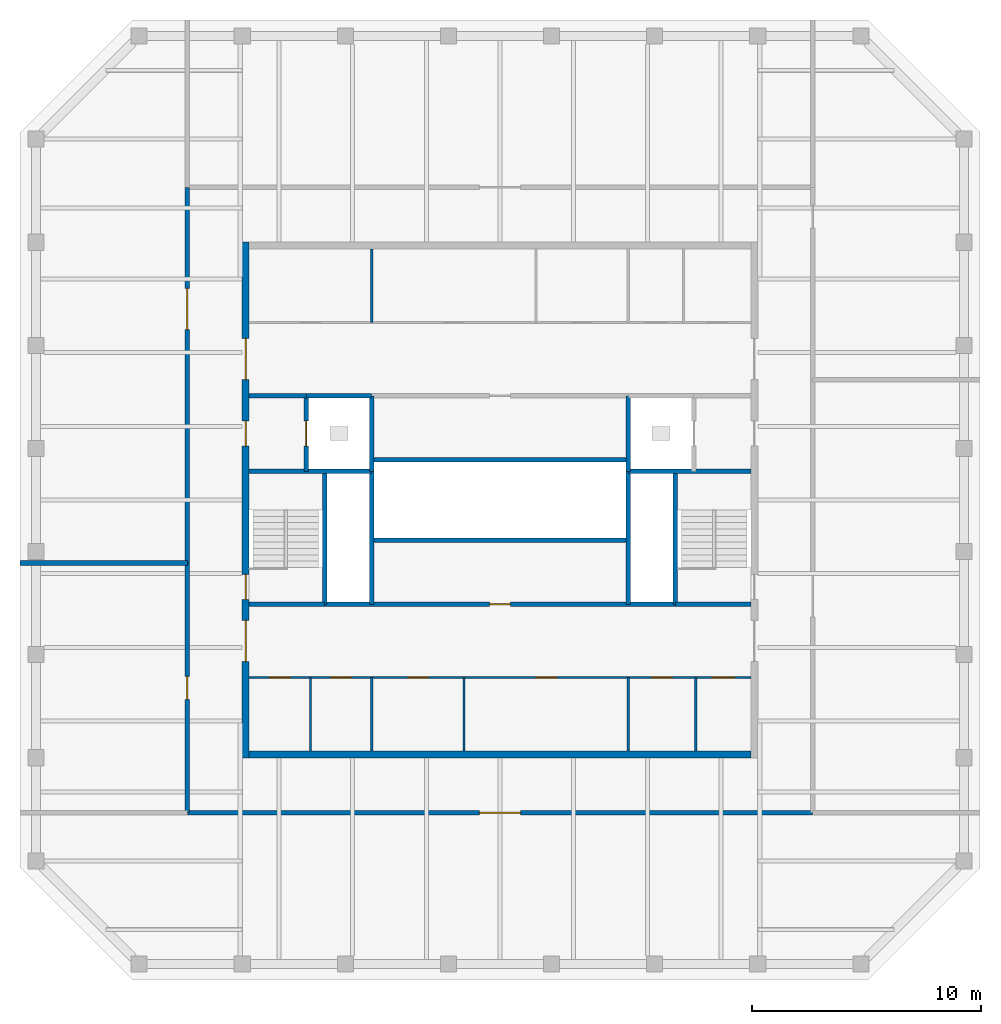
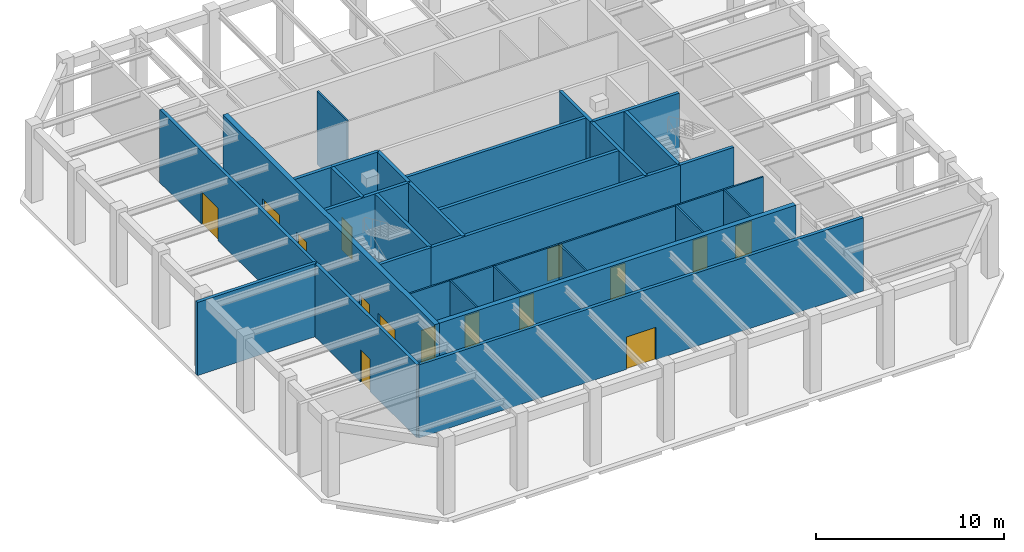
# One storey, part 3 of 6: 29 walls, 15 doors, 15 openings.
"""IFC4 building model written with IfcOpenShell, lengths in metres."""

import ifcopenshell
import ifcopenshell.guid

model = None  # the IFC model being written
_history = None  # IfcOwnerHistory: only IFC2X3 demands one
_inside = {}  # id of a spatial element -> (the spatial element, [elements in it])
_under = {}  # id of a project, library or spatial element -> (it, [spatial elements below it])
_declared = {}  # id of a project -> (the project, [libraries it declares])
_typed = {}  # id of a type object -> (the type object, [elements of that type])
_made_of = {}  # id of a material, layer set ... -> (it, [elements and type objects made of it])


def new_model(schema):
    """Start an empty IFC model of exactly this schema.

    Asked for "IFC4X3", IfcOpenShell would pick the latest addendum, in which some entities
    have other attributes; the version numbers below select the first issue.
    IFC2X3 requires an IfcOwnerHistory on every rooted entity: one is made here for all.
    """
    global model, _history
    if schema == "IFC4X3":
        model = ifcopenshell.file(schema_version=(4, 3, 0, 0))
    else:
        model = ifcopenshell.file(schema=schema)
    _inside.clear()
    _under.clear()
    _declared.clear()
    _typed.clear()
    _made_of.clear()
    _history = None
    if model.schema == "IFC2X3":
        org = make("IfcOrganization", Name="unknown")
        user = make(
            "IfcPersonAndOrganization",
            ThePerson=make("IfcPerson", FamilyName="unknown"),
            TheOrganization=org,
        )
        app = make(
            "IfcApplication",
            ApplicationDeveloper=org,
            Version="unknown",
            ApplicationFullName="unknown",
            ApplicationIdentifier="unknown",
        )
        _history = make(
            "IfcOwnerHistory",
            OwningUser=user,
            OwningApplication=app,
            ChangeAction="ADDED",
            CreationDate=0,
        )
    return model


def make(cls, **values):
    """One entity of the class cls with the attributes given. An attribute that is None is left unset."""
    return model.create_entity(
        cls, **{name: value for name, value in values.items() if value is not None}
    )


def rooted(cls, **values):
    """An entity with a GlobalId (a new one), such as an element, a storey or a relation."""
    return make(cls, GlobalId=ifcopenshell.guid.new(), OwnerHistory=_history, **values)


def si_unit(unit_type, name, prefix=None):
    """IfcSIUnit, for example si_unit("LENGTHUNIT", "METRE", prefix="MILLI")."""
    return make("IfcSIUnit", UnitType=unit_type, Prefix=prefix, Name=name)


def assignment(units):
    """IfcUnitAssignment: the units of a project."""
    return None if units is None else make("IfcUnitAssignment", Units=units)


def point(xyz):
    """IfcCartesianPoint."""
    return None if xyz is None else make("IfcCartesianPoint", Coordinates=xyz)


def direction(xyz):
    """IfcDirection."""
    return None if xyz is None else make("IfcDirection", DirectionRatios=xyz)


def frame(location, z_axis=None, x_axis=None):
    """IfcAxis2Placement3D, a coordinate frame: its origin and axes. An axis left out is left unset."""
    return make(
        "IfcAxis2Placement3D",
        Location=point(location),
        Axis=direction(z_axis),
        RefDirection=direction(x_axis),
    )


def frame_2d(location, x_axis=None):
    """IfcAxis2Placement2D, a coordinate frame in the plane: its origin and x axis."""
    return make(
        "IfcAxis2Placement2D", Location=point(location), RefDirection=direction(x_axis)
    )


def origin():
    """The frame at (0, 0, 0) with its axes left unset."""
    return frame((0.0, 0.0, 0.0))


def place(relative_to, where):
    """IfcLocalPlacement: puts the frame where relative to a parent placement (None: the world)."""
    return make(
        "IfcLocalPlacement", PlacementRelTo=relative_to, RelativePlacement=where
    )


def context(
    kind, dimensions, precision=None, world=None, true_north=None, identifier=None
):
    """IfcGeometricRepresentationContext, for example the 3D "Model" context."""
    return make(
        "IfcGeometricRepresentationContext",
        ContextIdentifier=identifier,
        ContextType=kind,
        CoordinateSpaceDimension=dimensions,
        Precision=precision,
        WorldCoordinateSystem=world,
        TrueNorth=true_north,
    )


def subcontext(parent, identifier, kind, view, scale=None):
    """IfcGeometricRepresentationSubContext, for example "Body" below "Model"."""
    return make(
        "IfcGeometricRepresentationSubContext",
        ContextIdentifier=identifier,
        ContextType=kind,
        ParentContext=parent,
        TargetScale=scale,
        TargetView=view,
    )


def project(units=None, contexts=None):
    """IfcProject with its units and contexts."""
    return rooted(
        "IfcProject",
        Name="project",
        RepresentationContexts=contexts,
        UnitsInContext=assignment(units),
    )


def spatial(cls, under=None, at=None, **own):
    """A site, building, storey or space (cls), placed at a placement, below another one or the project."""
    s = rooted(cls, ObjectPlacement=at, **own)
    if under is not None:
        _under.setdefault(under.id(), (under, []))[1].append(s)
    return s


def profile(cls, at=None, kind="AREA", **sizes):
    """A parametric profile (cls). Its sizes go by their IFC names, for example OverallWidth=200.0."""
    return make(cls, ProfileType=kind, Position=at, **sizes)


def rectangle(**sizes):
    """IfcRectangleProfileDef."""
    return profile("IfcRectangleProfileDef", **sizes)


def extrude(swept, where, along, depth):
    """IfcExtrudedAreaSolid: the profile swept, set in the frame where, extruded along a direction by depth."""
    return make(
        "IfcExtrudedAreaSolid",
        SweptArea=swept,
        Position=where,
        ExtrudedDirection=direction(along),
        Depth=depth,
    )


def shape(context_of_items, identifier, shape_type, items):
    """IfcShapeRepresentation: the items that make up one representation, for example the "Body"."""
    return make(
        "IfcShapeRepresentation",
        ContextOfItems=context_of_items,
        RepresentationIdentifier=identifier,
        RepresentationType=shape_type,
        Items=items,
    )


def material(Name=None, Category=None):
    """IfcMaterial."""
    return make("IfcMaterial", Name=Name, Category=Category)


def layer(
    of_material, thickness, ventilated=None, Name=None, Category=None, Priority=None
):
    """IfcMaterialLayer: one layer of a wall or slab, of a material (None: an air gap)."""
    return make(
        "IfcMaterialLayer",
        Material=of_material,
        LayerThickness=thickness,
        IsVentilated=ventilated,
        Name=Name,
        Category=Category,
        Priority=Priority,
    )


def layer_set(layers, Name=None):
    """IfcMaterialLayerSet."""
    return make("IfcMaterialLayerSet", MaterialLayers=layers, LayerSetName=Name)


def made_of(thing, what):
    """Note that an element or type object is made of a material, layer set ...; save() writes the relation."""
    if what is not None:
        _made_of.setdefault(what.id(), (what, []))[1].append(thing)
    return thing


def type_object(cls, material=None, **own):
    """A type object (cls), such as IfcWallType, which elements share."""
    return made_of(rooted(cls, **own), material)


def element(
    cls,
    number,
    at=None,
    inside=None,
    cuts=None,
    type_object=None,
    material=None,
    context=None,
    identifier="Body",
    shape_type=None,
    held_by="IfcProductDefinitionShape",
    body=None,
    shapes=None,
    **own,
):
    """One element of the class cls, such as IfcWall. Its Tag is "e" and its number.

    at: its placement. inside: the storey or other place that contains it. cuts: it is an
    opening in that element (IfcRelVoidsElement). A single representation is given by context,
    identifier, shape_type and body (its items); several are given by shapes. held_by: the class
    of the entity that holds the representations. save() writes the other relations.
    """
    e = rooted(cls, Tag="e%d" % number, ObjectPlacement=at, **own)
    if body is not None:
        shapes = [shape(context, identifier, shape_type, body)]
    if shapes is not None:
        e.Representation = make(held_by, Representations=shapes)
    if inside is not None:
        _inside.setdefault(inside.id(), (inside, []))[1].append(e)
    if cuts is not None:
        rooted(
            "IfcRelVoidsElement", RelatingBuildingElement=cuts, RelatedOpeningElement=e
        )
    if type_object is not None:
        _typed.setdefault(type_object.id(), (type_object, []))[1].append(e)
    return made_of(e, material)


def fill(opening, filler):
    """IfcRelFillsElement: the door or window that sits in an opening."""
    return rooted(
        "IfcRelFillsElement",
        RelatingOpeningElement=opening,
        RelatedBuildingElement=filler,
    )


def aggregate(whole, parts):
    """IfcRelAggregates: a whole, such as a stair, and the parts it consists of."""
    return rooted("IfcRelAggregates", RelatingObject=whole, RelatedObjects=parts)


def save(model, path):
    """Write the relations noted so far, then the file.

    IfcRelAggregates (storeys below a building ...), IfcRelContainedInSpatialStructure (elements
    in a storey), IfcRelDefinesByType, IfcRelAssociatesMaterial and IfcRelDeclares: one each for
    every whole, place, type object, material and project.
    """
    for whole, parts in _under.values():
        aggregate(whole, parts)
    for where, things in _inside.values():
        rooted(
            "IfcRelContainedInSpatialStructure",
            RelatedElements=things,
            RelatingStructure=where,
        )
    for kind, things in _typed.values():
        rooted("IfcRelDefinesByType", RelatedObjects=things, RelatingType=kind)
    for what, things in _made_of.values():
        rooted("IfcRelAssociatesMaterial", RelatedObjects=things, RelatingMaterial=what)
    for by, libraries in _declared.values():
        rooted("IfcRelDeclares", RelatingContext=by, RelatedDefinitions=libraries)
    model.write(path)


model = new_model("IFC4")

# Units and contexts
model_context = context("Model", 3, precision=1e-05, world=origin(), true_north=direction((0.0, 1.0)))
body_context = subcontext(model_context, "Body", "Model", "MODEL_VIEW")
ifc_project = project(units=[si_unit("LENGTHUNIT", "METRE"), si_unit("AREAUNIT", "SQUARE_METRE"), si_unit("VOLUMEUNIT", "CUBIC_METRE"), si_unit("PLANEANGLEUNIT", "RADIAN"), si_unit("MASSUNIT", "GRAM", prefix="KILO")], contexts=[model_context])

# Site, building, storey
site_placement = place(None, origin())
site = spatial("IfcSite", under=ifc_project, at=site_placement, CompositionType="ELEMENT")
building_placement = place(site_placement, origin())
building = spatial("IfcBuilding", under=site, at=building_placement, Name="Quoin Convention Tower", CompositionType="ELEMENT")
storey_placement = place(building_placement, frame((0.0, 0.0, 268.699951171875)))
storey = spatial("IfcBuildingStorey", under=building, at=storey_placement, Name="L70", CompositionType="ELEMENT", Elevation=268.699951171875)

# Wall, openings, doors
ifc_material_1 = material(Name="Plasterboard")
ifc_layer_1 = layer(ifc_material_1, 0.012451171875, Name="Finish")
ifc_material_2 = material(Name="Steel stud framing", Category="steel")
ifc_layer_2 = layer(ifc_material_2, 0.074951171875, Name="Structure")
ifc_layer_3 = layer(ifc_material_1, 0.012451171875, Name="Finish")
ifc_layer_set_1 = layer_set([ifc_layer_1, ifc_layer_2, ifc_layer_3], Name="Steel stud framing")
wall_type_1 = type_object("IfcWallType", Name="Core partition wall", PredefinedType="PARTITIONING", material=ifc_layer_set_1)
wall_1_placement = place(storey_placement, frame((45.300048828125, 53.0, 0.0), z_axis=(0.0, 0.0, 1.0), x_axis=(1.0, 0.0, 0.0)))
wall_1 = element("IfcWall", 1, at=wall_1_placement, inside=storey, type_object=wall_type_1, Name="cr-C1-L70-h3500_300", PredefinedType="PARTITIONING", context=body_context, shape_type="SweptSolid", body=[
    extrude(rectangle(XDim=21.89990234375, YDim=0.10009765625, at=frame_2d((10.949951171875, 0.0))), origin(), (0.0, 0.0, 1.0), 4.75),
])
opening_1_placement = place(wall_1_placement, frame((20.1962890625, 0.0, 0.0)))
opening_1 = element("IfcOpeningElement", 2, at=opening_1_placement, cuts=wall_1, Name="Opening DCV0-37", PredefinedType="OPENING", context=body_context, shape_type="SweptSolid", body=[
    extrude(rectangle(XDim=1.0, YDim=2.10009765625, at=frame_2d((0.5, 1.050048828125))), frame((0.0, 0.06005859375, 0.0), z_axis=(0.0, -1.0, 0.0), x_axis=(1.0, 0.0, 0.0)), (0.0, 0.0, 1.0), 0.1201171875),
])
opening_2_placement = place(wall_1_placement, frame((17.5712890625, 0.0, 0.0)))
opening_2 = element("IfcOpeningElement", 3, at=opening_2_placement, cuts=wall_1, Name="Opening DCV0-36", PredefinedType="OPENING", context=body_context, shape_type="SweptSolid", body=[
    extrude(rectangle(XDim=0.89990234375, YDim=2.10009765625, at=frame_2d((0.449951171875, 1.050048828125))), frame((0.0, 0.06005859375, 0.0), z_axis=(0.0, -1.0, 0.0), x_axis=(1.0, 0.0, 0.0)), (0.0, 0.0, 1.0), 0.1201171875),
])
opening_3_placement = place(wall_1_placement, frame((0.887451171875, 0.0, 0.0)))
opening_3 = element("IfcOpeningElement", 4, at=opening_3_placement, cuts=wall_1, Name="Opening DCV0-32", PredefinedType="OPENING", context=body_context, shape_type="SweptSolid", body=[
    extrude(rectangle(XDim=0.89990234375, YDim=2.10009765625, at=frame_2d((0.449951171875, 1.050048828125))), frame((0.0, 0.06005859375, 0.0), z_axis=(0.0, -1.0, 0.0), x_axis=(1.0, 0.0, 0.0)), (0.0, 0.0, 1.0), 0.1201171875),
])
opening_4_placement = place(wall_1_placement, frame((3.5625, 0.0, 0.0)))
opening_4 = element("IfcOpeningElement", 5, at=opening_4_placement, cuts=wall_1, Name="Opening DCV0-33", PredefinedType="OPENING", context=body_context, shape_type="SweptSolid", body=[
    extrude(rectangle(XDim=0.89990234375, YDim=2.10009765625, at=frame_2d((0.449951171875, 1.050048828125))), frame((0.0, 0.06005859375, 0.0), z_axis=(0.0, -1.0, 0.0), x_axis=(1.0, 0.0, 0.0)), (0.0, 0.0, 1.0), 0.1201171875),
])
opening_5_placement = place(wall_1_placement, frame((6.916015625, 0.0, 0.0)))
opening_5 = element("IfcOpeningElement", 6, at=opening_5_placement, cuts=wall_1, Name="Opening DCV0-34", PredefinedType="OPENING", context=body_context, shape_type="SweptSolid", body=[
    extrude(rectangle(XDim=0.89990234375, YDim=2.10009765625, at=frame_2d((0.449951171875, 1.050048828125))), frame((0.0, 0.06005859375, 0.0), z_axis=(0.0, -1.0, 0.0), x_axis=(1.0, 0.0, 0.0)), (0.0, 0.0, 1.0), 0.1201171875),
])
opening_6_placement = place(wall_1_placement, frame((12.51611328125, 0.0, 0.0)))
opening_6 = element("IfcOpeningElement", 7, at=opening_6_placement, cuts=wall_1, Name="Opening DCV0-35", PredefinedType="OPENING", context=body_context, shape_type="SweptSolid", body=[
    extrude(rectangle(XDim=0.89990234375, YDim=2.10009765625, at=frame_2d((0.449951171875, 1.050048828125))), frame((0.0, 0.06005859375, 0.0), z_axis=(0.0, -1.0, 0.0), x_axis=(1.0, 0.0, 0.0)), (0.0, 0.0, 1.0), 0.1201171875),
])
ifc_material_3 = material(Name="Steel door leaf", Category="steel")
door_type_1 = type_object("IfcDoorType", Name="Core room door 1000 x 2100", OperationType="SINGLE_SWING_LEFT", PredefinedType="DOOR", material=ifc_material_3)
door_1_placement = place(opening_1_placement, frame((1.0, 0.0, 0.0), z_axis=(0.0, 0.0, 1.0), x_axis=(-1.0, 0.0, 0.0)))
door_1 = element("IfcDoor", 8, at=door_1_placement, inside=storey, type_object=door_type_1, Name="cd-C1-L70-CSE0-lobA-CD7010", OperationType="SINGLE_SWING_LEFT", OverallHeight=2.10009765625, OverallWidth=1.0, PredefinedType="DOOR", context=body_context, shape_type="SweptSolid", body=[
    extrude(rectangle(XDim=1.0, YDim=2.10009765625, at=frame_2d((0.5, 1.050048828125))), frame((0.0, 0.02490234375, 0.0), z_axis=(0.0, -1.0, 0.0), x_axis=(1.0, 0.0, 0.0)), (0.0, 0.0, 1.0), 0.050048828125),
])
fill(opening_1, door_1)
door_type_2 = type_object("IfcDoorType", Name="Core room door 900 x 2100", OperationType="SINGLE_SWING_LEFT", PredefinedType="DOOR", material=ifc_material_3)
door_2_placement = place(opening_2_placement, frame((0.89990234375, 0.0, 0.0), z_axis=(0.0, 0.0, 1.0), x_axis=(-1.0, 0.0, 0.0)))
door_2 = element("IfcDoor", 9, at=door_2_placement, inside=storey, type_object=door_type_2, Name="cd-C1-L70-CSE1-lobA-CD7011", OperationType="SINGLE_SWING_LEFT", OverallHeight=2.10009765625, OverallWidth=0.89990234375, PredefinedType="DOOR", context=body_context, shape_type="SweptSolid", body=[
    extrude(rectangle(XDim=0.89990234375, YDim=2.10009765625, at=frame_2d((0.449951171875, 1.050048828125))), frame((0.0, 0.02490234375, 0.0), z_axis=(0.0, -1.0, 0.0), x_axis=(1.0, 0.0, 0.0)), (0.0, 0.0, 1.0), 0.050048828125),
])
fill(opening_2, door_2)
door_3_placement = place(opening_3_placement, frame((0.89990234375, 0.0, 0.0), z_axis=(0.0, 0.0, 1.0), x_axis=(-1.0, 0.0, 0.0)))
door_3 = element("IfcDoor", 10, at=door_3_placement, inside=storey, type_object=door_type_2, Name="cd-C1-L70-CSW0-lobA-CD7012", OperationType="SINGLE_SWING_LEFT", OverallHeight=2.10009765625, OverallWidth=0.89990234375, PredefinedType="DOOR", context=body_context, shape_type="SweptSolid", body=[
    extrude(rectangle(XDim=0.89990234375, YDim=2.10009765625, at=frame_2d((0.449951171875, 1.050048828125))), frame((0.0, 0.02490234375, 0.0), z_axis=(0.0, -1.0, 0.0), x_axis=(1.0, 0.0, 0.0)), (0.0, 0.0, 1.0), 0.050048828125),
])
fill(opening_3, door_3)
door_4_placement = place(opening_4_placement, frame((0.89990234375, 0.0, 0.0), z_axis=(0.0, 0.0, 1.0), x_axis=(-1.0, 0.0, 0.0)))
door_4 = element("IfcDoor", 11, at=door_4_placement, inside=storey, type_object=door_type_2, Name="cd-C1-L70-CSW1-lobA-CD7013", OperationType="SINGLE_SWING_LEFT", OverallHeight=2.10009765625, OverallWidth=0.89990234375, PredefinedType="DOOR", context=body_context, shape_type="SweptSolid", body=[
    extrude(rectangle(XDim=0.89990234375, YDim=2.10009765625, at=frame_2d((0.449951171875, 1.050048828125))), frame((0.0, 0.02490234375, 0.0), z_axis=(0.0, -1.0, 0.0), x_axis=(1.0, 0.0, 0.0)), (0.0, 0.0, 1.0), 0.050048828125),
])
fill(opening_4, door_4)
door_5_placement = place(opening_5_placement, frame((0.89990234375, 0.0, 0.0), z_axis=(0.0, 0.0, 1.0), x_axis=(-1.0, 0.0, 0.0)))
door_5 = element("IfcDoor", 12, at=door_5_placement, inside=storey, type_object=door_type_2, Name="cd-C1-L70-F10-lobA-CD7014", OperationType="SINGLE_SWING_LEFT", OverallHeight=2.10009765625, OverallWidth=0.89990234375, PredefinedType="DOOR", context=body_context, shape_type="SweptSolid", body=[
    extrude(rectangle(XDim=0.89990234375, YDim=2.10009765625, at=frame_2d((0.449951171875, 1.050048828125))), frame((0.0, 0.02490234375, 0.0), z_axis=(0.0, -1.0, 0.0), x_axis=(1.0, 0.0, 0.0)), (0.0, 0.0, 1.0), 0.050048828125),
])
fill(opening_5, door_5)
door_6_placement = place(opening_6_placement, frame((0.89990234375, 0.0, 0.0), z_axis=(0.0, 0.0, 1.0), x_axis=(-1.0, 0.0, 0.0)))
door_6 = element("IfcDoor", 13, at=door_6_placement, inside=storey, type_object=door_type_2, Name="cd-C1-L70-F11-lobA-CD7015", OperationType="SINGLE_SWING_LEFT", OverallHeight=2.10009765625, OverallWidth=0.89990234375, PredefinedType="DOOR", context=body_context, shape_type="SweptSolid", body=[
    extrude(rectangle(XDim=0.89990234375, YDim=2.10009765625, at=frame_2d((0.449951171875, 1.050048828125))), frame((0.0, 0.02490234375, 0.0), z_axis=(0.0, -1.0, 0.0), x_axis=(1.0, 0.0, 0.0)), (0.0, 0.0, 1.0), 0.050048828125),
])
fill(opening_6, door_6)

# Walls
for number, where, z_axis, x_axis, name in (
    (14, (47.97509765625, 49.800048828125, 0.0), (0.0, 0.0, 1.0), (0.0, 1.0, 0.0), "cr-C1-L70-v2975_300"),
    (15, (50.64990234375, 49.800048828125, 0.0), (0.0, 0.0, 1.0), (0.0, 1.0, 0.0), "cr-C1-L70-v5650_300"),
    (16, (50.64990234375, 68.5, 0.0), (0.0, 0.0, 1.0), (0.0, 1.0, 0.0), "cr-C1-L70-v5650_19000"),
    (17, (54.681884765625, 49.800048828125, 0.0), (0.0, 0.0, 1.0), (0.0, 1.0, 0.0), "cr-C1-L70-v9682_300"),
    (18, (61.85009765625, 49.800048828125, 0.0), (0.0, 0.0, 1.0), (0.0, 1.0, 0.0), "cr-C1-L70-v16850_300"),
    (19, (64.79248046875, 49.800048828125, 0.0), (0.0, 0.0, 1.0), (0.0, 1.0, 0.0), "cr-C1-L70-v19792_300"),
):
    element("IfcWall", number, at=place(storey_placement, frame(where, z_axis=z_axis, x_axis=x_axis)), inside=storey, type_object=wall_type_1, Name=name, PredefinedType="PARTITIONING", context=body_context, shape_type="SweptSolid", body=[
        extrude(rectangle(XDim=3.199951171875, YDim=0.10009765625, at=frame_2d((1.60009765625, 0.0))), origin(), (0.0, 0.0, 1.0), 4.75),
    ])

# Wall, opening, door
ifc_material_4 = material(Name="Concrete C50", Category="concrete")
ifc_layer_4 = layer(ifc_material_4, 0.199951171875)
ifc_layer_set_2 = layer_set([ifc_layer_4], Name="Concrete C50")
wall_type_2 = type_object("IfcWallType", Name="Core shaft wall", PredefinedType="SOLIDWALL", material=ifc_layer_set_2)
wall_2_placement = place(storey_placement, frame((48.60009765625, 56.199951171875, 0.0), z_axis=(0.0, 0.0, 1.0), x_axis=(1.0, 0.0, 0.0)))
wall_2 = element("IfcWall", 20, at=wall_2_placement, inside=storey, type_object=wall_type_2, Name="cr-C1-L70-h6700_3600", PredefinedType="SOLIDWALL", context=body_context, shape_type="SweptSolid", body=[
    extrude(rectangle(XDim=15.2998046875, YDim=0.199951171875, at=frame_2d((7.64990234375, 0.0))), origin(), (0.0, 0.0, 1.0), 4.75),
])
opening_7_placement = place(wall_2_placement, frame((7.199951171875, 0.0, 0.0)))
opening_7 = element("IfcOpeningElement", 21, at=opening_7_placement, cuts=wall_2, Name="Opening DCV0-53", PredefinedType="OPENING", context=body_context, shape_type="SweptSolid", body=[
    extrude(rectangle(XDim=0.89990234375, YDim=2.10009765625, at=frame_2d((0.449951171875, 1.050048828125))), frame((0.0, 0.10986328125, 0.0), z_axis=(0.0, -1.0, 0.0), x_axis=(1.0, 0.0, 0.0)), (0.0, 0.0, 1.0), 0.219970703125),
])
door_7_placement = place(opening_7_placement, origin())
door_7 = element("IfcDoor", 22, at=door_7_placement, inside=storey, type_object=door_type_2, Name="cd-C1-L70-F20-lobA-CD7016", OperationType="SINGLE_SWING_RIGHT", OverallHeight=2.10009765625, OverallWidth=0.89990234375, PredefinedType="DOOR", context=body_context, shape_type="SweptSolid", body=[
    extrude(rectangle(XDim=0.89990234375, YDim=2.10009765625, at=frame_2d((0.449951171875, 1.050048828125))), frame((0.0, 0.02490234375, 0.0), z_axis=(0.0, -1.0, 0.0), x_axis=(1.0, 0.0, 0.0)), (0.0, 0.0, 1.0), 0.050048828125),
])
fill(opening_7, door_7)

# Walls
for number, where, z_axis, x_axis, name in (
    (23, (45.300048828125, 56.199951171875, 0.0), (0.0, 0.0, 1.0), (1.0, 0.0, 0.0), "cr-C1-L70-h6700_300"),
    (24, (63.89990234375, 56.199951171875, 0.0), (0.0, 0.0, 1.0), (1.0, 0.0, 0.0), "cr-C1-L70-h6700_18900"),
):
    element("IfcWall", number, at=place(storey_placement, frame(where, z_axis=z_axis, x_axis=x_axis)), inside=storey, type_object=wall_type_2, Name=name, PredefinedType="SOLIDWALL", context=body_context, shape_type="SweptSolid", body=[
        extrude(rectangle(XDim=3.300048828125, YDim=0.199951171875, at=frame_2d((1.64990234375, 0.0))), origin(), (0.0, 0.0, 1.0), 4.75),
    ])
wall_3_placement = place(storey_placement, frame((50.64990234375, 59.0, 0.0), z_axis=(0.0, 0.0, 1.0), x_axis=(1.0, 0.0, 0.0)))
element("IfcWall", 25, at=wall_3_placement, inside=storey, type_object=wall_type_2, Name="cr-C1-L70-h9500_5650", PredefinedType="SOLIDWALL", context=body_context, shape_type="SweptSolid", body=[
    extrude(rectangle(XDim=11.2001953125, YDim=0.199951171875, at=frame_2d((5.60009765625, 0.0))), origin(), (0.0, 0.0, 1.0), 4.75),
])
for number, where, z_axis, x_axis, name in (
    (26, (45.300048828125, 62.0, 0.0), (0.0, 0.0, 1.0), (1.0, 0.0, 0.0), "cr-C1-L70-h12500_300"),
    (27, (61.85009765625, 62.0, 0.0), (0.0, 0.0, 1.0), (1.0, 0.0, 0.0), "cr-C1-L70-h12500_16850"),
):
    element("IfcWall", number, at=place(storey_placement, frame(where, z_axis=z_axis, x_axis=x_axis)), inside=storey, type_object=wall_type_2, Name=name, PredefinedType="SOLIDWALL", context=body_context, shape_type="SweptSolid", body=[
        extrude(rectangle(XDim=5.349853515625, YDim=0.199951171875, at=frame_2d((2.6748046875, 0.0))), origin(), (0.0, 0.0, 1.0), 4.75),
    ])
wall_4_placement = place(storey_placement, frame((50.64990234375, 62.5, 0.0), z_axis=(0.0, 0.0, 1.0), x_axis=(1.0, 0.0, 0.0)))
element("IfcWall", 28, at=wall_4_placement, inside=storey, type_object=wall_type_2, Name="cr-C1-L70-h13000_5650", PredefinedType="SOLIDWALL", context=body_context, shape_type="SweptSolid", body=[
    extrude(rectangle(XDim=11.2001953125, YDim=0.199951171875, at=frame_2d((5.60009765625, 0.0))), origin(), (0.0, 0.0, 1.0), 4.75),
])
wall_5_placement = place(storey_placement, frame((45.300048828125, 65.300048828125, 0.0), z_axis=(0.0, 0.0, 1.0), x_axis=(1.0, 0.0, 0.0)))
element("IfcWall", 29, at=wall_5_placement, inside=storey, type_object=wall_type_2, Name="cr-C1-L70-h15800_300", PredefinedType="SOLIDWALL", context=body_context, shape_type="SweptSolid", body=[
    extrude(rectangle(XDim=2.5, YDim=0.199951171875, at=frame_2d((1.25, 0.0))), origin(), (0.0, 0.0, 1.0), 4.75),
])
wall_6_placement = place(storey_placement, frame((47.800048828125, 65.300048828125, 0.0), z_axis=(0.0, 0.0, 1.0), x_axis=(1.0, 0.0, 0.0)))
element("IfcWall", 30, at=wall_6_placement, inside=storey, type_object=wall_type_2, Name="cr-C1-L70-h15800_2800", PredefinedType="SOLIDWALL", context=body_context, shape_type="SweptSolid", body=[
    extrude(rectangle(XDim=2.849853515625, YDim=0.199951171875, at=frame_2d((1.4248046875, 0.0))), origin(), (0.0, 0.0, 1.0), 4.75),
])

# Wall, opening, door
wall_7_placement = place(storey_placement, frame((47.800048828125, 62.0, 0.0), z_axis=(0.0, 0.0, 1.0), x_axis=(0.0, 1.0, 0.0)))
wall_7 = element("IfcWall", 31, at=wall_7_placement, inside=storey, type_object=wall_type_2, Name="cr-C1-L70-v2800_12500", PredefinedType="SOLIDWALL", context=body_context, shape_type="SweptSolid", body=[
    extrude(rectangle(XDim=3.300048828125, YDim=0.199951171875, at=frame_2d((1.64990234375, 0.0))), origin(), (0.0, 0.0, 1.0), 4.75),
])
opening_8_placement = place(wall_7_placement, frame((1.10009765625, 0.0, 0.0)))
opening_8 = element("IfcOpeningElement", 32, at=opening_8_placement, cuts=wall_7, Name="Opening LDFL1", PredefinedType="OPENING", context=body_context, shape_type="SweptSolid", body=[
    extrude(rectangle(XDim=1.10009765625, YDim=2.10009765625, at=frame_2d((0.550048828125, 1.050048828125))), frame((0.0, 0.10986328125, 0.0), z_axis=(0.0, -1.0, 0.0), x_axis=(1.0, 0.0, 0.0)), (0.0, 0.0, 1.0), 0.219970703125),
])
door_type_3 = type_object("IfcDoorType", Name="Lift landing door 1100 x 2100", OperationType="DOUBLE_DOOR_SLIDING", PredefinedType="DOOR", material=ifc_material_3)
door_8_placement = place(opening_8_placement, origin())
door_8 = element("IfcDoor", 33, at=door_8_placement, inside=storey, type_object=door_type_3, Name="cd-C1-L70-FLW-FFW-LDFL1", OperationType="DOUBLE_DOOR_SLIDING", OverallHeight=2.10009765625, OverallWidth=1.10009765625, PredefinedType="DOOR", context=body_context, shape_type="SweptSolid", body=[
    extrude(rectangle(XDim=1.10009765625, YDim=2.10009765625, at=frame_2d((0.550048828125, 1.050048828125))), frame((0.0, 0.02490234375, 0.0), z_axis=(0.0, -1.0, 0.0), x_axis=(1.0, 0.0, 0.0)), (0.0, 0.0, 1.0), 0.050048828125),
])
fill(opening_8, door_8)

# Walls
for number, where, z_axis, x_axis, name in (
    (34, (48.60009765625, 56.199951171875, 0.0), (0.0, 0.0, 1.0), (0.0, 1.0, 0.0), "cr-C1-L70-v3600_6700"),
    (35, (50.64990234375, 56.199951171875, 0.0), (0.0, 0.0, 1.0), (0.0, 1.0, 0.0), "cr-C1-L70-v5650_6700"),
):
    element("IfcWall", number, at=place(storey_placement, frame(where, z_axis=z_axis, x_axis=x_axis)), inside=storey, type_object=wall_type_2, Name=name, PredefinedType="SOLIDWALL", context=body_context, shape_type="SweptSolid", body=[
        extrude(rectangle(XDim=5.800048828125, YDim=0.199951171875, at=frame_2d((2.89990234375, 0.0))), origin(), (0.0, 0.0, 1.0), 4.75),
    ])
wall_8_placement = place(storey_placement, frame((50.64990234375, 62.0, 0.0), z_axis=(0.0, 0.0, 1.0), x_axis=(0.0, 1.0, 0.0)))
element("IfcWall", 36, at=wall_8_placement, inside=storey, type_object=wall_type_2, Name="cr-C1-L70-v5650_12500", PredefinedType="SOLIDWALL", context=body_context, shape_type="SweptSolid", body=[
    extrude(rectangle(XDim=3.300048828125, YDim=0.199951171875, at=frame_2d((1.64990234375, 0.0))), origin(), (0.0, 0.0, 1.0), 4.75),
])
wall_9_placement = place(storey_placement, frame((61.85009765625, 56.199951171875, 0.0), z_axis=(0.0, 0.0, 1.0), x_axis=(0.0, 1.0, 0.0)))
element("IfcWall", 37, at=wall_9_placement, inside=storey, type_object=wall_type_2, Name="cr-C1-L70-v16850_6700", PredefinedType="SOLIDWALL", context=body_context, shape_type="SweptSolid", body=[
    extrude(rectangle(XDim=5.800048828125, YDim=0.199951171875, at=frame_2d((2.89990234375, 0.0))), origin(), (0.0, 0.0, 1.0), 4.75),
])
wall_10_placement = place(storey_placement, frame((61.85009765625, 62.0, 0.0), z_axis=(0.0, 0.0, 1.0), x_axis=(0.0, 1.0, 0.0)))
element("IfcWall", 38, at=wall_10_placement, inside=storey, type_object=wall_type_2, Name="cr-C1-L70-v16850_12500", PredefinedType="SOLIDWALL", context=body_context, shape_type="SweptSolid", body=[
    extrude(rectangle(XDim=3.300048828125, YDim=0.199951171875, at=frame_2d((1.64990234375, 0.0))), origin(), (0.0, 0.0, 1.0), 4.75),
])
wall_11_placement = place(storey_placement, frame((63.89990234375, 56.199951171875, 0.0), z_axis=(0.0, 0.0, 1.0), x_axis=(0.0, 1.0, 0.0)))
element("IfcWall", 39, at=wall_11_placement, inside=storey, type_object=wall_type_2, Name="cr-C1-L70-v18900_6700", PredefinedType="SOLIDWALL", context=body_context, shape_type="SweptSolid", body=[
    extrude(rectangle(XDim=5.800048828125, YDim=0.199951171875, at=frame_2d((2.89990234375, 0.0))), origin(), (0.0, 0.0, 1.0), 4.75),
])

# Wall, opening, door
ifc_layer_5 = layer(ifc_material_1, 0.012451171875, Name="Finish")
ifc_layer_6 = layer(ifc_material_2, 0.175048828125, Name="Structure")
ifc_layer_7 = layer(ifc_material_1, 0.012451171875, Name="Finish")
ifc_layer_set_3 = layer_set([ifc_layer_5, ifc_layer_6, ifc_layer_7], Name="Steel stud framing")
wall_type_3 = type_object("IfcWallType", Name="Plant room wall 200", PredefinedType="PARTITIONING", material=ifc_layer_set_3)
wall_12_placement = place(storey_placement, frame((42.60009765625, 47.10009765625, 0.0), z_axis=(0.0, 0.0, 1.0), x_axis=(1.0, 0.0, 0.0)))
wall_12 = element("IfcWall", 40, at=wall_12_placement, inside=storey, type_object=wall_type_3, Name="pw-L70-002", PredefinedType="PARTITIONING", context=body_context, shape_type="SweptSolid", body=[
    extrude(rectangle(XDim=27.2998046875, YDim=0.199951171875, at=frame_2d((13.64990234375, 0.0))), origin(), (0.0, 0.0, 1.0), 4.75),
])
opening_9_placement = place(wall_12_placement, frame((12.75, 0.0, 0.0)))
opening_9 = element("IfcOpeningElement", 41, at=opening_9_placement, cuts=wall_12, Name="Opening DPDC2-01", PredefinedType="OPENING", context=body_context, shape_type="SweptSolid", body=[
    extrude(rectangle(XDim=1.800048828125, YDim=2.10009765625, at=frame_2d((0.89990234375, 1.050048828125))), frame((0.0, 0.10986328125, 0.0), z_axis=(0.0, -1.0, 0.0), x_axis=(1.0, 0.0, 0.0)), (0.0, 0.0, 1.0), 0.219970703125),
])
door_type_4 = type_object("IfcDoorType", Name="Plant door pair 1800", OperationType="DOUBLE_DOOR_SINGLE_SWING", PredefinedType="DOOR", material=ifc_material_3)
door_9_placement = place(opening_9_placement, frame((1.800048828125, 0.0, 0.0), z_axis=(0.0, 0.0, 1.0), x_axis=(-1.0, 0.0, 0.0)))
door_9 = element("IfcDoor", 42, at=door_9_placement, inside=storey, type_object=door_type_4, Name="dr-L70-001", OperationType="DOUBLE_DOOR_SINGLE_SWING", OverallHeight=2.10009765625, OverallWidth=1.800048828125, PredefinedType="DOOR", context=body_context, shape_type="SweptSolid", body=[
    extrude(rectangle(XDim=1.800048828125, YDim=2.10009765625, at=frame_2d((0.89990234375, 1.050048828125))), frame((0.0, 0.02490234375, 0.0), z_axis=(0.0, -1.0, 0.0), x_axis=(1.0, 0.0, 0.0)), (0.0, 0.0, 1.0), 0.050048828125),
])
fill(opening_9, door_9)

wall_13_placement = place(storey_placement, frame((42.60009765625, 47.10009765625, 0.0), z_axis=(0.0, 0.0, 1.0), x_axis=(0.0, 1.0, 0.0)))
wall_13 = element("IfcWall", 43, at=wall_13_placement, inside=storey, type_object=wall_type_3, Name="pw-L70-003", PredefinedType="PARTITIONING", context=body_context, shape_type="SweptSolid", body=[
    extrude(rectangle(XDim=10.89990234375, YDim=0.199951171875, at=frame_2d((5.449951171875, 0.0))), origin(), (0.0, 0.0, 1.0), 4.75),
])
opening_10_placement = place(wall_13_placement, frame((4.949951171875, 0.0, 0.0)))
opening_10 = element("IfcOpeningElement", 44, at=opening_10_placement, cuts=wall_13, Name="Opening DPDC2-02", PredefinedType="OPENING", context=body_context, shape_type="SweptSolid", body=[
    extrude(rectangle(XDim=1.0, YDim=2.10009765625, at=frame_2d((0.5, 1.050048828125))), frame((0.0, 0.10986328125, 0.0), z_axis=(0.0, -1.0, 0.0), x_axis=(1.0, 0.0, 0.0)), (0.0, 0.0, 1.0), 0.219970703125),
])
door_type_5 = type_object("IfcDoorType", Name="Plant door 1000", OperationType="SINGLE_SWING_RIGHT", PredefinedType="DOOR", material=ifc_material_3)
door_10_placement = place(opening_10_placement, origin())
door_10 = element("IfcDoor", 45, at=door_10_placement, inside=storey, type_object=door_type_5, Name="dr-L70-005", OperationType="SINGLE_SWING_RIGHT", OverallHeight=2.10009765625, OverallWidth=1.0, PredefinedType="DOOR", context=body_context, shape_type="SweptSolid", body=[
    extrude(rectangle(XDim=1.0, YDim=2.10009765625, at=frame_2d((0.5, 1.050048828125))), frame((0.0, 0.02490234375, 0.0), z_axis=(0.0, -1.0, 0.0), x_axis=(1.0, 0.0, 0.0)), (0.0, 0.0, 1.0), 0.050048828125),
])
fill(opening_10, door_10)

# Wall
wall_14_placement = place(storey_placement, frame((35.300048828125, 58.0, 0.0), z_axis=(0.0, 0.0, 1.0), x_axis=(1.0, 0.0, 0.0)))
element("IfcWall", 46, at=wall_14_placement, inside=storey, type_object=wall_type_3, Name="pw-L70-006", PredefinedType="PARTITIONING", context=body_context, shape_type="SweptSolid", body=[
    extrude(rectangle(XDim=7.300048828125, YDim=0.199951171875, at=frame_2d((3.64990234375, 0.0))), origin(), (0.0, 0.0, 1.0), 4.75),
])

# Wall, opening, door
wall_15_placement = place(storey_placement, frame((42.60009765625, 58.0, 0.0), z_axis=(0.0, 0.0, 1.0), x_axis=(0.0, 1.0, 0.0)))
wall_15 = element("IfcWall", 47, at=wall_15_placement, inside=storey, type_object=wall_type_3, Name="pw-L70-007", PredefinedType="PARTITIONING", context=body_context, shape_type="SweptSolid", body=[
    extrude(rectangle(XDim=16.39990234375, YDim=0.199951171875, at=frame_2d((8.199951171875, 0.0))), origin(), (0.0, 0.0, 1.0), 4.75),
])
opening_11_placement = place(wall_15_placement, frame((10.18505859375, 0.0, 0.0)))
opening_11 = element("IfcOpeningElement", 48, at=opening_11_placement, cuts=wall_15, Name="Opening DPDC2-04", PredefinedType="OPENING", context=body_context, shape_type="SweptSolid", body=[
    extrude(rectangle(XDim=1.800048828125, YDim=2.10009765625, at=frame_2d((0.89990234375, 1.050048828125))), frame((0.0, 0.10986328125, 0.0), z_axis=(0.0, -1.0, 0.0), x_axis=(1.0, 0.0, 0.0)), (0.0, 0.0, 1.0), 0.219970703125),
])
door_11_placement = place(opening_11_placement, origin())
door_11 = element("IfcDoor", 49, at=door_11_placement, inside=storey, type_object=door_type_4, Name="dr-L70-006", OperationType="DOUBLE_DOOR_SINGLE_SWING", OverallHeight=2.10009765625, OverallWidth=1.800048828125, PredefinedType="DOOR", context=body_context, shape_type="SweptSolid", body=[
    extrude(rectangle(XDim=1.800048828125, YDim=2.10009765625, at=frame_2d((0.89990234375, 1.050048828125))), frame((0.0, 0.02490234375, 0.0), z_axis=(0.0, -1.0, 0.0), x_axis=(1.0, 0.0, 0.0)), (0.0, 0.0, 1.0), 0.050048828125),
])
fill(opening_11, door_11)

# Wall
ifc_material_5 = material(Name="Concrete C40", Category="concrete")
ifc_layer_8 = layer(ifc_material_5, 0.300048828125)
ifc_layer_set_4 = layer_set([ifc_layer_8], Name="Concrete C40")
wall_type_4 = type_object("IfcWallType", Name="RC CORE WALL 300 C40", PredefinedType="SHEAR", material=ifc_layer_set_4)
wall_16_placement = place(storey_placement, frame((45.300048828125, 49.64990234375, 0.0), z_axis=(0.0, 0.0, 1.0), x_axis=(1.0, 0.0, 0.0)))
element("IfcWall", 50, at=wall_16_placement, inside=storey, type_object=wall_type_4, Name="cwl-C1-L70-S", PredefinedType="SHEAR", context=body_context, shape_type="SweptSolid", body=[
    extrude(rectangle(XDim=21.89990234375, YDim=0.300048828125, at=frame_2d((10.949951171875, 0.0))), origin(), (0.0, 0.0, 1.0), 5.0),
])

# Wall, openings, doors
wall_17_placement = place(storey_placement, frame((45.14990234375, 49.5, 0.0), z_axis=(0.0, 0.0, 1.0), x_axis=(0.0, 1.0, 0.0)))
wall_17 = element("IfcWall", 51, at=wall_17_placement, inside=storey, type_object=wall_type_4, Name="cwl-C1-L70-W", PredefinedType="SHEAR", context=body_context, shape_type="SweptSolid", body=[
    extrude(rectangle(XDim=22.5, YDim=0.300048828125, at=frame_2d((11.25, 0.0))), origin(), (0.0, 0.0, 1.0), 5.0),
])
opening_12_placement = place(wall_17_placement, frame((4.199951171875, 0.0, 0.0)))
opening_12 = element("IfcOpeningElement", 52, at=opening_12_placement, cuts=wall_17, Name="Opening DCV0-59", PredefinedType="OPENING", context=body_context, shape_type="SweptSolid", body=[
    extrude(rectangle(XDim=1.800048828125, YDim=2.10009765625, at=frame_2d((0.89990234375, 1.050048828125))), frame((0.0, 0.159912109375, 0.0), z_axis=(0.0, -1.0, 0.0), x_axis=(1.0, 0.0, 0.0)), (0.0, 0.0, 1.0), 0.320068359375),
])
opening_13_placement = place(wall_17_placement, frame((6.89990234375, 0.0, 0.0)))
opening_13 = element("IfcOpeningElement", 53, at=opening_13_placement, cuts=wall_17, Name="Opening SD1", PredefinedType="OPENING", context=body_context, shape_type="SweptSolid", body=[
    extrude(rectangle(XDim=1.10009765625, YDim=2.10009765625, at=frame_2d((0.550048828125, 1.050048828125))), frame((0.0, 0.159912109375, 0.0), z_axis=(0.0, -1.0, 0.0), x_axis=(1.0, 0.0, 0.0)), (0.0, 0.0, 1.0), 0.320068359375),
])
opening_14_placement = place(wall_17_placement, frame((13.60009765625, 0.0, 0.0)))
opening_14 = element("IfcOpeningElement", 54, at=opening_14_placement, cuts=wall_17, Name="Opening DCV0-58", PredefinedType="OPENING", context=body_context, shape_type="SweptSolid", body=[
    extrude(rectangle(XDim=1.10009765625, YDim=2.10009765625, at=frame_2d((0.550048828125, 1.050048828125))), frame((0.0, 0.159912109375, 0.0), z_axis=(0.0, -1.0, 0.0), x_axis=(1.0, 0.0, 0.0)), (0.0, 0.0, 1.0), 0.320068359375),
])
opening_15_placement = place(wall_17_placement, frame((16.5, 0.0, 0.0)))
opening_15 = element("IfcOpeningElement", 55, at=opening_15_placement, cuts=wall_17, Name="Opening DCV0-59", PredefinedType="OPENING", context=body_context, shape_type="SweptSolid", body=[
    extrude(rectangle(XDim=1.800048828125, YDim=2.10009765625, at=frame_2d((0.89990234375, 1.050048828125))), frame((0.0, 0.159912109375, 0.0), z_axis=(0.0, -1.0, 0.0), x_axis=(1.0, 0.0, 0.0)), (0.0, 0.0, 1.0), 0.320068359375),
])
door_type_6 = type_object("IfcDoorType", Name="Fire-fighting lobby door 1100 x 2100", OperationType="SINGLE_SWING_LEFT", PredefinedType="DOOR", material=ifc_material_3)
door_12_placement = place(opening_14_placement, frame((1.10009765625, 0.0, 0.0), z_axis=(0.0, 0.0, 1.0), x_axis=(-1.0, 0.0, 0.0)))
door_12 = element("IfcDoor", 56, at=door_12_placement, inside=storey, type_object=door_type_6, Name="cd-C1-L70-FFW-W", OperationType="SINGLE_SWING_LEFT", OverallHeight=2.10009765625, OverallWidth=1.10009765625, PredefinedType="DOOR", context=body_context, shape_type="SweptSolid", body=[
    extrude(rectangle(XDim=1.10009765625, YDim=2.10009765625, at=frame_2d((0.550048828125, 1.050048828125))), frame((0.0, 0.02490234375, 0.0), z_axis=(0.0, -1.0, 0.0), x_axis=(1.0, 0.0, 0.0)), (0.0, 0.0, 1.0), 0.050048828125),
])
fill(opening_14, door_12)
door_type_7 = type_object("IfcDoorType", Name="Lift lobby door 1800 x 2100", OperationType="SINGLE_SWING_LEFT", PredefinedType="DOOR", material=ifc_material_3)
door_13_placement = place(opening_12_placement, frame((1.800048828125, 0.0, 0.0), z_axis=(0.0, 0.0, 1.0), x_axis=(-1.0, 0.0, 0.0)))
door_13 = element("IfcDoor", 57, at=door_13_placement, inside=storey, type_object=door_type_7, Name="cd-C1-L70-lobA-W", OperationType="SINGLE_SWING_LEFT", OverallHeight=2.10009765625, OverallWidth=1.800048828125, PredefinedType="DOOR", context=body_context, shape_type="SweptSolid", body=[
    extrude(rectangle(XDim=1.800048828125, YDim=2.10009765625, at=frame_2d((0.89990234375, 1.050048828125))), frame((0.0, 0.02490234375, 0.0), z_axis=(0.0, -1.0, 0.0), x_axis=(1.0, 0.0, 0.0)), (0.0, 0.0, 1.0), 0.050048828125),
])
fill(opening_12, door_13)
door_14_placement = place(opening_15_placement, frame((1.800048828125, 0.0, 0.0), z_axis=(0.0, 0.0, 1.0), x_axis=(-1.0, 0.0, 0.0)))
door_14 = element("IfcDoor", 58, at=door_14_placement, inside=storey, type_object=door_type_7, Name="cd-C1-L70-lobB-W", OperationType="SINGLE_SWING_LEFT", OverallHeight=2.10009765625, OverallWidth=1.800048828125, PredefinedType="DOOR", context=body_context, shape_type="SweptSolid", body=[
    extrude(rectangle(XDim=1.800048828125, YDim=2.10009765625, at=frame_2d((0.89990234375, 1.050048828125))), frame((0.0, 0.02490234375, 0.0), z_axis=(0.0, -1.0, 0.0), x_axis=(1.0, 0.0, 0.0)), (0.0, 0.0, 1.0), 0.050048828125),
])
fill(opening_15, door_14)
door_type_8 = type_object("IfcDoorType", Name="Stair door 1100 x 2100", OperationType="SINGLE_SWING_RIGHT", PredefinedType="DOOR", material=ifc_material_3)
door_15_placement = place(opening_13_placement, frame((1.10009765625, 0.0, 0.0), z_axis=(0.0, 0.0, 1.0), x_axis=(-1.0, 0.0, 0.0)))
door_15 = element("IfcDoor", 59, at=door_15_placement, inside=storey, type_object=door_type_8, Name="cd-C1-L70-STW-W", OperationType="SINGLE_SWING_RIGHT", OverallHeight=2.10009765625, OverallWidth=1.10009765625, PredefinedType="DOOR", context=body_context, shape_type="SweptSolid", body=[
    extrude(rectangle(XDim=1.10009765625, YDim=2.10009765625, at=frame_2d((0.550048828125, 1.050048828125))), frame((0.0, 0.02490234375, 0.0), z_axis=(0.0, -1.0, 0.0), x_axis=(1.0, 0.0, 0.0)), (0.0, 0.0, 1.0), 0.050048828125),
])
fill(opening_13, door_15)

save(model, "model.ifc")
